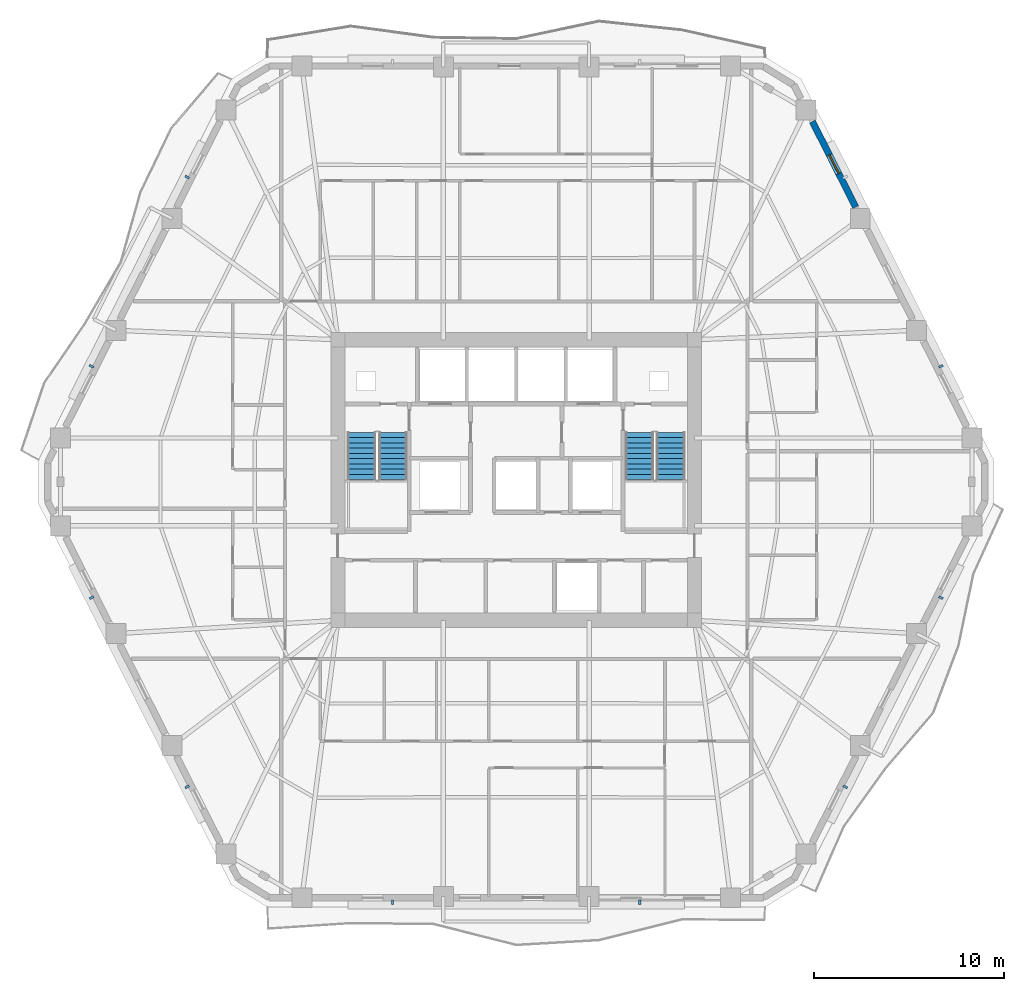
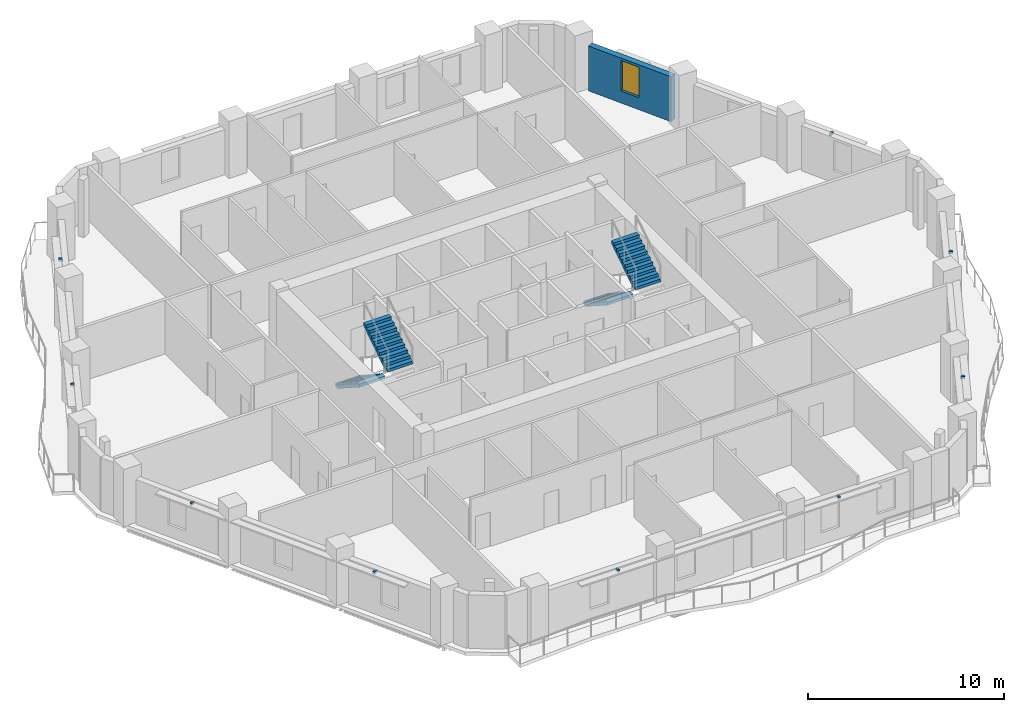
# One storey, part 8 of 12: 9 discrete accessories, 4 stair flights, 1 wall, 1 window, 1 opening, 2 elements without a shape of their own.
"""IFC4 building model written with IfcOpenShell, lengths in metres."""

from ifc_helpers import new_model, si_unit, direction, frame, frame_2d, origin, origin_2d, place, context, subcontext, project, spatial, polyline, rectangle, outline, extrude, material, layer, layer_set, type_object, element, fill, aggregate, save


model = new_model("IFC4")

# Units and contexts
model_context = context("Model", 3, precision=1e-05, world=origin(), true_north=direction((0.0, 1.0)))
body_context = subcontext(model_context, "Body", "Model", "MODEL_VIEW")
ifc_project = project(units=[si_unit("LENGTHUNIT", "METRE"), si_unit("AREAUNIT", "SQUARE_METRE"), si_unit("VOLUMEUNIT", "CUBIC_METRE"), si_unit("PLANEANGLEUNIT", "RADIAN"), si_unit("MASSUNIT", "GRAM", prefix="KILO")], contexts=[model_context])

# Site, building, storey
site_placement = place(None, origin())
site = spatial("IfcSite", under=ifc_project, at=site_placement, CompositionType="ELEMENT")
building_placement = place(site_placement, origin())
building = spatial("IfcBuilding", under=site, at=building_placement, Name="Cinnabar Lancet Tower", CompositionType="ELEMENT")
storey_placement = place(building_placement, frame((0.0, 0.0, 141.0)))
storey = spatial("IfcBuildingStorey", under=building, at=storey_placement, Name="L37", CompositionType="ELEMENT", Elevation=141.0)

# Wall, opening, window
ifc_material_1 = material(Name="Cinnabar red clay brick", Category="masonry")
ifc_layer = layer(ifc_material_1, 0.340087890625)
ifc_layer_set = layer_set([ifc_layer], Name="Cinnabar red clay brick")
wall_type = type_object("IfcWallType", Name="ENV-WL-BRK-RED-340", PredefinedType="STANDARD", material=ifc_layer_set)
wall_placement = place(storey_placement, frame((50.2509765625, 40.2509765625, 0.0), z_axis=(0.0, 0.0, 1.0), x_axis=(-0.451548465867, 0.892246593142, 0.0)))
wall = element("IfcWall", 1, at=wall_placement, inside=storey, type_object=wall_type, Name="L37 Face 3 Masonry Bay Wall 4", PredefinedType="STANDARD", context=body_context, shape_type="SweptSolid", body=[
    extrude(rectangle(XDim=5.040283203125, YDim=0.340087890625, at=frame_2d((2.52001953125, 0.0))), origin(), (0.0, 0.0, 1.0), 2.797119140625),
])
opening_placement = place(wall_placement, frame((1.969970703125, 0.0, 0.75)))
opening = element("IfcOpeningElement", 2, at=opening_placement, cuts=wall, Name="Opening WN-04", PredefinedType="OPENING", context=body_context, shape_type="SweptSolid", body=[
    extrude(rectangle(XDim=1.10009765625, YDim=1.89697265625, at=frame_2d((0.550048828125, 0.948486328125))), frame((0.0, 0.179931640625, 0.0), z_axis=(0.0, -1.0, 0.0), x_axis=(1.0, 0.0, 0.0)), (0.0, 0.0, 1.0), 0.360107421875),
])
ifc_material_2 = material(Name="Thermally broken bronze-anodized aluminium tall lancet window", Category="aluminium")
window_type = type_object("IfcWindowType", Name="ENV-WN-LANCET-1100", PartitioningType="SINGLE_PANEL", PredefinedType="WINDOW", material=ifc_material_2)
window_placement = place(opening_placement, origin())
window = element("IfcWindow", 3, at=window_placement, inside=storey, type_object=window_type, Name="L37 Face 3 Gothic Lancet Window 4", OverallHeight=1.89697265625, OverallWidth=1.10009765625, PartitioningType="SINGLE_PANEL", PredefinedType="WINDOW", context=body_context, shape_type="SweptSolid", body=[
    extrude(rectangle(XDim=1.10009765625, YDim=1.89697265625, at=frame_2d((0.550048828125, 0.948486328125))), frame((0.0, 0.030029296875, 0.0), z_axis=(0.0, -1.0, 0.0), x_axis=(1.0, 0.0, 0.0)), (0.0, 0.0, 1.0), 0.06005859375),
])
fill(opening, window)

# Stair, stair flights
ifc_material_3 = material(Name="Concrete C40/50", Category="concrete")
stair_type = type_object("IfcStairType", Name="ST-CORE", PredefinedType="HALF_TURN_STAIR", material=ifc_material_3)
stair_1_placement = place(storey_placement, origin())
stair_1 = element("IfcStair", 4, at=stair_1_placement, inside=storey, type_object=stair_type, Name="L37 ST-1", PredefinedType="HALF_TURN_STAIR")
ifc_material_4 = material(Name="Concrete C40/50", Category="concrete")
stair_flight_type = type_object("IfcStairFlightType", Name="FLIGHT-CORE", PredefinedType="STRAIGHT", material=ifc_material_4)
stair_flight_1_placement = place(storey_placement, frame((24.27490234375, 28.39990234375, 0.0), z_axis=(0.0, 0.0, 1.0), x_axis=(0.0, -1.0, 0.0)))
stair_flight_1 = element("IfcStairFlight", 5, at=stair_flight_1_placement, type_object=stair_flight_type, Name="ST-1 flight 1", NumberOfRisers=10, NumberOfTreads=9, PredefinedType="STRAIGHT", RiserHeight=0.1775, TreadLength=0.275, context=body_context, shape_type="SweptSolid", body=[
    extrude(outline(polyline([(0.0, 0.0), (0.0, 0.177490234375), (0.27490234375, 0.177490234375), (0.27490234375, 0.35498046875), (0.550048828125, 0.35498046875), (0.550048828125, 0.532470703125), (0.824951171875, 0.532470703125), (0.824951171875, 0.7099609375), (1.10009765625, 0.7099609375), (1.10009765625, 0.887451171875), (1.375, 0.887451171875), (1.375, 1.06494140625), (1.64990234375, 1.06494140625), (1.64990234375, 1.242431640625), (1.925048828125, 1.242431640625), (1.925048828125, 1.419921875), (2.199951171875, 1.419921875), (2.199951171875, 1.597412109375), (2.47509765625, 1.597412109375), (2.47509765625, 1.77490234375), (2.47509765625, 1.419189453125), (0.2763671875, 0.0), (0.0, 0.0)])), frame((0.0, 0.75, 0.0), z_axis=(0.0, -1.0, 0.0), x_axis=(1.0, 0.0, 0.0)), (0.0, 0.0, 1.0), 1.5),
])
stair_flight_2_placement = place(storey_placement, frame((25.925048828125, 25.925048828125, 1.77490234375), z_axis=(0.0, 0.0, 1.0), x_axis=(0.0, 1.0, 0.0)))
stair_flight_2 = element("IfcStairFlight", 6, at=stair_flight_2_placement, type_object=stair_flight_type, Name="ST-1 flight 2", NumberOfRisers=10, NumberOfTreads=9, PredefinedType="STRAIGHT", RiserHeight=0.1775, TreadLength=0.275, context=body_context, shape_type="SweptSolid", body=[
    extrude(outline(polyline([(0.0, 0.0), (0.0, 0.177490234375), (0.27490234375, 0.177490234375), (0.27490234375, 0.35498046875), (0.550048828125, 0.35498046875), (0.550048828125, 0.532470703125), (0.824951171875, 0.532470703125), (0.824951171875, 0.7099609375), (1.10009765625, 0.7099609375), (1.10009765625, 0.887451171875), (1.375, 0.887451171875), (1.375, 1.06494140625), (1.64990234375, 1.06494140625), (1.64990234375, 1.242431640625), (1.925048828125, 1.242431640625), (1.925048828125, 1.419921875), (2.199951171875, 1.419921875), (2.199951171875, 1.597412109375), (2.47509765625, 1.597412109375), (2.47509765625, 1.77490234375), (2.47509765625, 1.419189453125), (0.2763671875, 0.0), (0.0, 0.0)])), frame((0.0, 0.75, 0.0), z_axis=(0.0, -1.0, 0.0), x_axis=(1.0, 0.0, 0.0)), (0.0, 0.0, 1.0), 1.5),
])
aggregate(stair_1, [stair_flight_1, stair_flight_2])

stair_2_placement = place(storey_placement, origin())
stair_2 = element("IfcStair", 7, at=stair_2_placement, inside=storey, type_object=stair_type, Name="L37 ST-2", PredefinedType="HALF_TURN_STAIR")
stair_flight_3_placement = place(storey_placement, frame((38.875, 28.39990234375, 0.0), z_axis=(0.0, 0.0, 1.0), x_axis=(0.0, -1.0, 0.0)))
stair_flight_3 = element("IfcStairFlight", 8, at=stair_flight_3_placement, type_object=stair_flight_type, Name="ST-2 flight 1", NumberOfRisers=10, NumberOfTreads=9, PredefinedType="STRAIGHT", RiserHeight=0.1775, TreadLength=0.275, context=body_context, shape_type="SweptSolid", body=[
    extrude(outline(polyline([(0.0, 0.0), (0.0, 0.177490234375), (0.27490234375, 0.177490234375), (0.27490234375, 0.35498046875), (0.550048828125, 0.35498046875), (0.550048828125, 0.532470703125), (0.824951171875, 0.532470703125), (0.824951171875, 0.7099609375), (1.10009765625, 0.7099609375), (1.10009765625, 0.887451171875), (1.375, 0.887451171875), (1.375, 1.06494140625), (1.64990234375, 1.06494140625), (1.64990234375, 1.242431640625), (1.925048828125, 1.242431640625), (1.925048828125, 1.419921875), (2.199951171875, 1.419921875), (2.199951171875, 1.597412109375), (2.47509765625, 1.597412109375), (2.47509765625, 1.77490234375), (2.47509765625, 1.419189453125), (0.2763671875, 0.0), (0.0, 0.0)])), frame((0.0, 0.75, 0.0), z_axis=(0.0, -1.0, 0.0), x_axis=(1.0, 0.0, 0.0)), (0.0, 0.0, 1.0), 1.5),
])
stair_flight_4_placement = place(storey_placement, frame((40.52490234375, 25.925048828125, 1.77490234375), z_axis=(0.0, 0.0, 1.0), x_axis=(0.0, 1.0, 0.0)))
stair_flight_4 = element("IfcStairFlight", 9, at=stair_flight_4_placement, type_object=stair_flight_type, Name="ST-2 flight 2", NumberOfRisers=10, NumberOfTreads=9, PredefinedType="STRAIGHT", RiserHeight=0.1775, TreadLength=0.275, context=body_context, shape_type="SweptSolid", body=[
    extrude(outline(polyline([(0.0, 0.0), (0.0, 0.177490234375), (0.27490234375, 0.177490234375), (0.27490234375, 0.35498046875), (0.550048828125, 0.35498046875), (0.550048828125, 0.532470703125), (0.824951171875, 0.532470703125), (0.824951171875, 0.7099609375), (1.10009765625, 0.7099609375), (1.10009765625, 0.887451171875), (1.375, 0.887451171875), (1.375, 1.06494140625), (1.64990234375, 1.06494140625), (1.64990234375, 1.242431640625), (1.925048828125, 1.242431640625), (1.925048828125, 1.419921875), (2.199951171875, 1.419921875), (2.199951171875, 1.597412109375), (2.47509765625, 1.597412109375), (2.47509765625, 1.77490234375), (2.47509765625, 1.419189453125), (0.2763671875, 0.0), (0.0, 0.0)])), frame((0.0, 0.75, 0.0), z_axis=(0.0, -1.0, 0.0), x_axis=(1.0, 0.0, 0.0)), (0.0, 0.0, 1.0), 1.5),
])
aggregate(stair_2, [stair_flight_3, stair_flight_4])

# Discrete accessories
ifc_material_5 = material(Name="Stainless steel 316 facade fixing bracket", Category="steel")
discrete_accessory_type = type_object("IfcDiscreteAccessoryType", Name="ENV-ACC-BRK-180", PredefinedType="BRACKET", material=ifc_material_5)
for number, where, z_axis, x_axis, name in (
    (10, (25.89892578125, 3.7099609375, 2.60009765625), (0.0, 0.0, 1.0), (1.0, 0.0, 0.0), "L37 Face 1 Sunshade Bracket A"),
    (11, (38.90087890625, 3.7099609375, 2.60009765625), (0.0, 0.0, 1.0), (1.0, 0.0, 0.0), "L37 Face 1 Sunshade Bracket B"),
    (12, (49.698974609375, 9.77197265625, 2.60009765625), (0.0, 0.0, 1.0), (0.451453853408, 0.892294468347, 0.0), "L37 Face 2 Sunshade Bracket A"),
    (13, (54.72998046875, 19.717041015625, 2.60009765625), (0.0, 0.0, 1.0), (0.451453853408, 0.892294468347, 0.0), "L37 Face 2 Sunshade Bracket B"),
    (14, (54.72998046875, 31.883056640625, 2.60009765625), (0.0, 0.0, 1.0), (-0.451453853408, 0.892294468347, 0.0), "L37 Face 3 Sunshade Bracket A"),
    (15, (15.10107421875, 41.827880859375, 2.60009765625), (0.0, 0.0, 1.0), (-0.451453853408, -0.892294468347, 0.0), "L37 Face 5 Sunshade Bracket A"),
    (16, (10.070068359375, 31.883056640625, 2.60009765625), (0.0, 0.0, 1.0), (-0.451453853408, -0.892294468347, 0.0), "L37 Face 5 Sunshade Bracket B"),
    (17, (10.070068359375, 19.717041015625, 2.60009765625), (0.0, 0.0, 1.0), (0.451453853408, -0.892294468347, 0.0), "L37 Face 6 Sunshade Bracket A"),
    (18, (15.10107421875, 9.77197265625, 2.60009765625), (0.0, 0.0, 1.0), (0.451453853408, -0.892294468347, 0.0), "L37 Face 6 Sunshade Bracket B"),
):
    element("IfcDiscreteAccessory", number, at=place(storey_placement, frame(where, z_axis=z_axis, x_axis=x_axis)), inside=storey, type_object=discrete_accessory_type, Name=name, PredefinedType="BRACKET", context=body_context, shape_type="SweptSolid", body=[
        extrude(rectangle(XDim=0.1201171875, YDim=0.239990234375, at=origin_2d()), origin(), (0.0, 0.0, 1.0), 0.159912109375),
    ])

save(model, "model.ifc")
